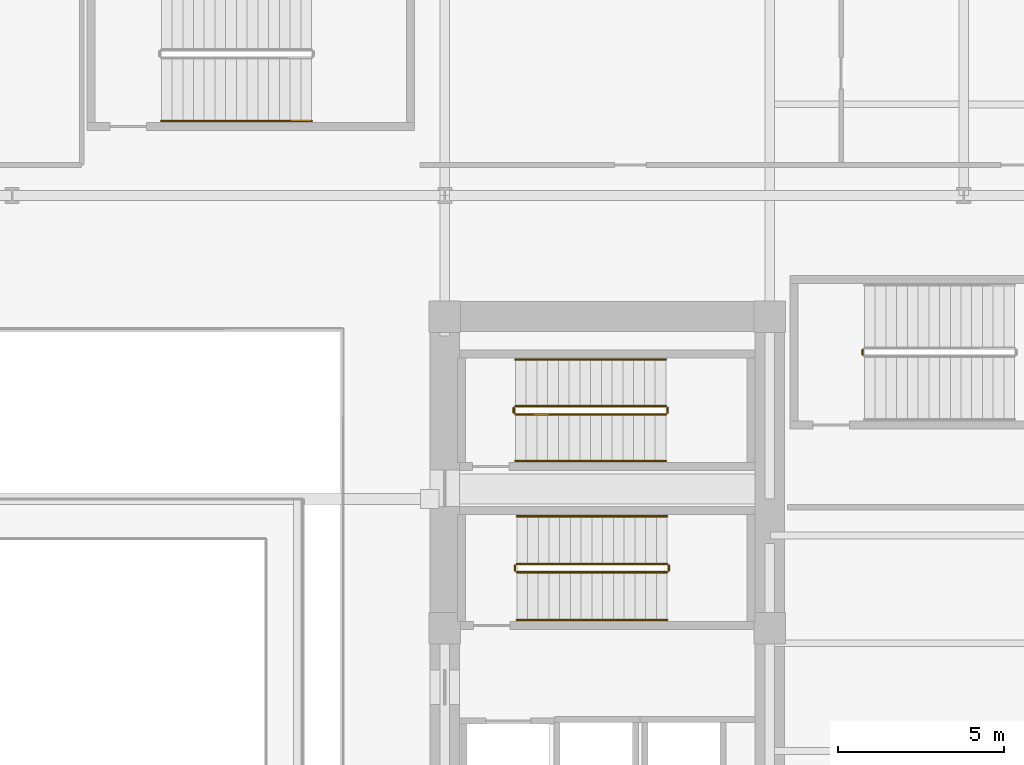
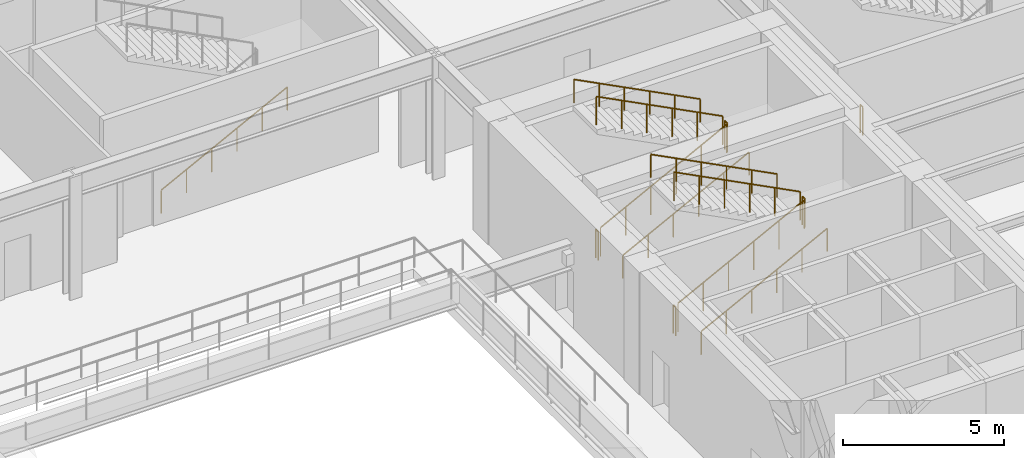
# One storey, part 21 of 24: 14 railings.
"""IFC4 building model written with IfcOpenShell, lengths in metres."""

from ifc_helpers import new_model, si_unit, direction, frame, origin, origin_2d, place, context, subcontext, project, spatial, circle, extrude, material, type_object, element, save


model = new_model("IFC4")

# Units and contexts
model_context = context("Model", 3, precision=1e-05, world=origin(), true_north=direction((0.0, 1.0)))
body_context = subcontext(model_context, "Body", "Model", "MODEL_VIEW")
ifc_project = project(units=[si_unit("LENGTHUNIT", "METRE"), si_unit("AREAUNIT", "SQUARE_METRE"), si_unit("VOLUMEUNIT", "CUBIC_METRE"), si_unit("PLANEANGLEUNIT", "RADIAN"), si_unit("MASSUNIT", "GRAM", prefix="KILO")], contexts=[model_context])

# Site, building, storey
site_placement = place(None, origin())
site = spatial("IfcSite", under=ifc_project, at=site_placement, CompositionType="ELEMENT")
building_placement = place(site_placement, origin())
building = spatial("IfcBuilding", under=site, at=building_placement, Name="Kolvaren Arena Tower", CompositionType="ELEMENT")
storey_placement = place(building_placement, frame((0.0, 0.0, 23.0)))
storey = spatial("IfcBuildingStorey", under=building, at=storey_placement, Name="L04", CompositionType="ELEMENT", Elevation=23.0)

# Railings
ifc_material_1 = material(Name="Painted galvanized steel", Category="steel")
railing_type_1 = type_object("IfcRailingType", Name="GUARD-ST-110", PredefinedType="GUARDRAIL", material=ifc_material_1)
railing_1_placement = place(storey_placement, frame((52.719970703125, 31.639892578125, 0.166748046875)))
element("IfcRailing", 1, at=railing_1_placement, inside=storey, type_object=railing_type_1, Name="L04 ST-E1 stair guard 1", PredefinedType="GUARDRAIL", context=body_context, shape_type="SweptSolid", body=[
    extrude(circle(Radius=0.02392578125, at=origin_2d()), frame((0.0, 0.0, 1.076171875), z_axis=(0.889257211316, 0.0, 0.457407490234), x_axis=(0.0, 1.0, 0.0)), (0.0, 0.0, 1.0), 5.10107421875),
    extrude(circle(Radius=0.02099609375, at=origin_2d()), origin(), (0.0, 0.0, 1.0), 1.052001953125),
    extrude(circle(Radius=0.02099609375, at=origin_2d()), frame((0.9072265625, 0.0, 0.466552734375)), (0.0, 0.0, 1.0), 1.052001953125),
    extrude(circle(Radius=0.02099609375, at=origin_2d()), frame((1.814453125, 0.0, 0.933349609375)), (0.0, 0.0, 1.0), 1.052001953125),
    extrude(circle(Radius=0.02099609375, at=origin_2d()), frame((2.7216796875, 0.0, 1.39990234375)), (0.0, 0.0, 1.0), 1.052001953125),
    extrude(circle(Radius=0.02099609375, at=origin_2d()), frame((3.62890625, 0.0, 1.86669921875)), (0.0, 0.0, 1.0), 1.052001953125),
    extrude(circle(Radius=0.02099609375, at=origin_2d()), frame((4.5361328125, 0.0, 2.333251953125)), (0.0, 0.0, 1.0), 1.052001953125),
])
railing_2_placement = place(storey_placement, frame((57.305908203125, 31.68994140625, 2.5)))
element("IfcRailing", 2, at=railing_2_placement, inside=storey, type_object=railing_type_1, Name="L04 ST-E1 stair guard 2", PredefinedType="GUARDRAIL", context=body_context, shape_type="SweptSolid", body=[
    extrude(circle(Radius=0.02392578125, at=origin_2d()), frame((0.0, 0.0, 1.076171875), z_axis=(0.0, 1.0, 0.0), x_axis=(-1.0, 0.0, 0.0)), (0.0, 0.0, 1.0), 0.150146484375),
    extrude(circle(Radius=0.02099609375, at=origin_2d()), origin(), (0.0, 0.0, 1.0), 1.052001953125),
    extrude(circle(Radius=0.02099609375, at=origin_2d()), frame((0.0, 0.150146484375, 0.0)), (0.0, 0.0, 1.0), 1.052001953125),
])
railing_3_placement = place(storey_placement, frame((57.256103515625, 31.889892578125, 2.666748046875)))
element("IfcRailing", 3, at=railing_3_placement, inside=storey, type_object=railing_type_1, Name="L04 ST-E1 stair guard 3", PredefinedType="GUARDRAIL", context=body_context, shape_type="SweptSolid", body=[
    extrude(circle(Radius=0.02392578125, at=origin_2d()), frame((0.0, 0.0, 1.076171875), z_axis=(-0.889257211316, 0.0, 0.457407490234), x_axis=(0.0, -1.0, 0.0)), (0.0, 0.0, 1.0), 5.10107421875),
    extrude(circle(Radius=0.02099609375, at=origin_2d()), origin(), (0.0, 0.0, 1.0), 1.052001953125),
    extrude(circle(Radius=0.02099609375, at=origin_2d()), frame((-0.9072265625, 0.0, 0.466552734375)), (0.0, 0.0, 1.0), 1.052001953125),
    extrude(circle(Radius=0.02099609375, at=origin_2d()), frame((-1.814453125, 0.0, 0.933349609375)), (0.0, 0.0, 1.0), 1.052001953125),
    extrude(circle(Radius=0.02099609375, at=origin_2d()), frame((-2.7216796875, 0.0, 1.39990234375)), (0.0, 0.0, 1.0), 1.052001953125),
    extrude(circle(Radius=0.02099609375, at=origin_2d()), frame((-3.62890625, 0.0, 1.86669921875)), (0.0, 0.0, 1.0), 1.052001953125),
    extrude(circle(Radius=0.02099609375, at=origin_2d()), frame((-4.5361328125, 0.0, 2.333251953125)), (0.0, 0.0, 1.0), 1.052001953125),
])
railing_4_placement = place(storey_placement, frame((52.669921875, 31.68994140625, 0.0)))
element("IfcRailing", 4, at=railing_4_placement, inside=storey, type_object=railing_type_1, Name="L04 ST-E1 stair guard 4", PredefinedType="GUARDRAIL", context=body_context, shape_type="SweptSolid", body=[
    extrude(circle(Radius=0.02392578125, at=origin_2d()), frame((0.0, 0.0, 1.076171875), z_axis=(0.0, 1.0, 0.0), x_axis=(-1.0, 0.0, 0.0)), (0.0, 0.0, 1.0), 0.150146484375),
    extrude(circle(Radius=0.02099609375, at=origin_2d()), origin(), (0.0, 0.0, 1.0), 1.052001953125),
    extrude(circle(Radius=0.02099609375, at=origin_2d()), frame((0.0, 0.150146484375, 0.0)), (0.0, 0.0, 1.0), 1.052001953125),
])
railing_5_placement = place(storey_placement, frame((52.679931640625, 36.39990234375, 0.166748046875)))
element("IfcRailing", 5, at=railing_5_placement, inside=storey, type_object=railing_type_1, Name="L04 ST-E2 stair guard 1", PredefinedType="GUARDRAIL", context=body_context, shape_type="SweptSolid", body=[
    extrude(circle(Radius=0.02392578125, at=origin_2d()), frame((0.0, 0.0, 1.076171875), z_axis=(0.889257211316, 0.0, 0.457407490234), x_axis=(0.0, 1.0, 0.0)), (0.0, 0.0, 1.0), 5.10107421875),
    extrude(circle(Radius=0.02099609375, at=origin_2d()), origin(), (0.0, 0.0, 1.0), 1.052001953125),
    extrude(circle(Radius=0.02099609375, at=origin_2d()), frame((0.9072265625, 0.0, 0.466552734375)), (0.0, 0.0, 1.0), 1.052001953125),
    extrude(circle(Radius=0.02099609375, at=origin_2d()), frame((1.814453125, 0.0, 0.933349609375)), (0.0, 0.0, 1.0), 1.052001953125),
    extrude(circle(Radius=0.02099609375, at=origin_2d()), frame((2.7216796875, 0.0, 1.39990234375)), (0.0, 0.0, 1.0), 1.052001953125),
    extrude(circle(Radius=0.02099609375, at=origin_2d()), frame((3.62890625, 0.0, 1.86669921875)), (0.0, 0.0, 1.0), 1.052001953125),
    extrude(circle(Radius=0.02099609375, at=origin_2d()), frame((4.5361328125, 0.0, 2.333251953125)), (0.0, 0.0, 1.0), 1.052001953125),
])
railing_6_placement = place(storey_placement, frame((57.26611328125, 36.449951171875, 2.5)))
element("IfcRailing", 6, at=railing_6_placement, inside=storey, type_object=railing_type_1, Name="L04 ST-E2 stair guard 2", PredefinedType="GUARDRAIL", context=body_context, shape_type="SweptSolid", body=[
    extrude(circle(Radius=0.02392578125, at=origin_2d()), frame((0.0, 0.0, 1.076171875), z_axis=(0.0, 1.0, 0.0), x_axis=(-1.0, 0.0, 0.0)), (0.0, 0.0, 1.0), 0.150146484375),
    extrude(circle(Radius=0.02099609375, at=origin_2d()), origin(), (0.0, 0.0, 1.0), 1.052001953125),
    extrude(circle(Radius=0.02099609375, at=origin_2d()), frame((0.0, 0.150146484375, 0.0)), (0.0, 0.0, 1.0), 1.052001953125),
])
railing_7_placement = place(storey_placement, frame((57.216064453125, 36.64990234375, 2.666748046875)))
element("IfcRailing", 7, at=railing_7_placement, inside=storey, type_object=railing_type_1, Name="L04 ST-E2 stair guard 3", PredefinedType="GUARDRAIL", context=body_context, shape_type="SweptSolid", body=[
    extrude(circle(Radius=0.02392578125, at=origin_2d()), frame((0.0, 0.0, 1.076171875), z_axis=(-0.889257211316, 0.0, 0.457407490234), x_axis=(0.0, -1.0, 0.0)), (0.0, 0.0, 1.0), 5.10107421875),
    extrude(circle(Radius=0.02099609375, at=origin_2d()), origin(), (0.0, 0.0, 1.0), 1.052001953125),
    extrude(circle(Radius=0.02099609375, at=origin_2d()), frame((-0.9072265625, 0.0, 0.466552734375)), (0.0, 0.0, 1.0), 1.052001953125),
    extrude(circle(Radius=0.02099609375, at=origin_2d()), frame((-1.814453125, 0.0, 0.933349609375)), (0.0, 0.0, 1.0), 1.052001953125),
    extrude(circle(Radius=0.02099609375, at=origin_2d()), frame((-2.7216796875, 0.0, 1.39990234375)), (0.0, 0.0, 1.0), 1.052001953125),
    extrude(circle(Radius=0.02099609375, at=origin_2d()), frame((-3.62890625, 0.0, 1.86669921875)), (0.0, 0.0, 1.0), 1.052001953125),
    extrude(circle(Radius=0.02099609375, at=origin_2d()), frame((-4.5361328125, 0.0, 2.333251953125)), (0.0, 0.0, 1.0), 1.052001953125),
])
for number, where, name in (
    (8, (52.6298828125, 36.449951171875, 0.0), "L04 ST-E2 stair guard 4"),
    (9, (63.14990234375, 38.199951171875, 0.0), "L04 ST-A8 stair guard 4"),
):
    element("IfcRailing", number, at=place(storey_placement, frame(where)), inside=storey, type_object=railing_type_1, Name=name, PredefinedType="GUARDRAIL", context=body_context, shape_type="SweptSolid", body=[
        extrude(circle(Radius=0.02392578125, at=origin_2d()), frame((0.0, 0.0, 1.076171875), z_axis=(0.0, 1.0, 0.0), x_axis=(-1.0, 0.0, 0.0)), (0.0, 0.0, 1.0), 0.150146484375),
        extrude(circle(Radius=0.02099609375, at=origin_2d()), origin(), (0.0, 0.0, 1.0), 1.052001953125),
        extrude(circle(Radius=0.02099609375, at=origin_2d()), frame((0.0, 0.150146484375, 0.0)), (0.0, 0.0, 1.0), 1.052001953125),
    ])
ifc_material_2 = material(Name="Brushed stainless steel handrail", Category="steel")
railing_type_2 = type_object("IfcRailingType", Name="HRAIL-900", PredefinedType="HANDRAIL", material=ifc_material_2)
railing_8_placement = place(storey_placement, frame((52.719970703125, 30.199951171875, 0.166748046875)))
element("IfcRailing", 10, at=railing_8_placement, inside=storey, type_object=railing_type_2, Name="L04 ST-E1 stair handrail 1", PredefinedType="HANDRAIL", context=body_context, shape_type="SweptSolid", body=[
    extrude(circle(Radius=0.02392578125, at=origin_2d()), frame((0.0, 0.0, 0.8759765625), z_axis=(0.889257211316, 0.0, 0.457407490234), x_axis=(0.0, 1.0, 0.0)), (0.0, 0.0, 1.0), 5.10107421875),
    extrude(circle(Radius=0.02099609375, at=origin_2d()), origin(), (0.0, 0.0, 1.0), 0.851806640625),
    extrude(circle(Radius=0.02099609375, at=origin_2d()), frame((0.9072265625, 0.0, 0.466552734375)), (0.0, 0.0, 1.0), 0.851806640625),
    extrude(circle(Radius=0.02099609375, at=origin_2d()), frame((1.814453125, 0.0, 0.933349609375)), (0.0, 0.0, 1.0), 0.851806640625),
    extrude(circle(Radius=0.02099609375, at=origin_2d()), frame((2.7216796875, 0.0, 1.39990234375)), (0.0, 0.0, 1.0), 0.851806640625),
    extrude(circle(Radius=0.02099609375, at=origin_2d()), frame((3.62890625, 0.0, 1.86669921875)), (0.0, 0.0, 1.0), 0.851806640625),
    extrude(circle(Radius=0.02099609375, at=origin_2d()), frame((4.5361328125, 0.0, 2.333251953125)), (0.0, 0.0, 1.0), 0.851806640625),
])
railing_9_placement = place(storey_placement, frame((57.256103515625, 33.330078125, 2.666748046875)))
element("IfcRailing", 11, at=railing_9_placement, inside=storey, type_object=railing_type_2, Name="L04 ST-E1 stair handrail 2", PredefinedType="HANDRAIL", context=body_context, shape_type="SweptSolid", body=[
    extrude(circle(Radius=0.02392578125, at=origin_2d()), frame((0.0, 0.0, 0.8759765625), z_axis=(-0.889257211316, 0.0, 0.457407490234), x_axis=(0.0, -1.0, 0.0)), (0.0, 0.0, 1.0), 5.10107421875),
    extrude(circle(Radius=0.02099609375, at=origin_2d()), origin(), (0.0, 0.0, 1.0), 0.851806640625),
    extrude(circle(Radius=0.02099609375, at=origin_2d()), frame((-0.9072265625, 0.0, 0.466552734375)), (0.0, 0.0, 1.0), 0.851806640625),
    extrude(circle(Radius=0.02099609375, at=origin_2d()), frame((-1.814453125, 0.0, 0.933349609375)), (0.0, 0.0, 1.0), 0.851806640625),
    extrude(circle(Radius=0.02099609375, at=origin_2d()), frame((-2.7216796875, 0.0, 1.39990234375)), (0.0, 0.0, 1.0), 0.851806640625),
    extrude(circle(Radius=0.02099609375, at=origin_2d()), frame((-3.62890625, 0.0, 1.86669921875)), (0.0, 0.0, 1.0), 0.851806640625),
    extrude(circle(Radius=0.02099609375, at=origin_2d()), frame((-4.5361328125, 0.0, 2.333251953125)), (0.0, 0.0, 1.0), 0.851806640625),
])
railing_10_placement = place(storey_placement, frame((52.679931640625, 35.0, 0.166748046875)))
element("IfcRailing", 12, at=railing_10_placement, inside=storey, type_object=railing_type_2, Name="L04 ST-E2 stair handrail 1", PredefinedType="HANDRAIL", context=body_context, shape_type="SweptSolid", body=[
    extrude(circle(Radius=0.02392578125, at=origin_2d()), frame((0.0, 0.0, 0.8759765625), z_axis=(0.889257211316, 0.0, 0.457407490234), x_axis=(0.0, 1.0, 0.0)), (0.0, 0.0, 1.0), 5.10107421875),
    extrude(circle(Radius=0.02099609375, at=origin_2d()), origin(), (0.0, 0.0, 1.0), 0.851806640625),
    extrude(circle(Radius=0.02099609375, at=origin_2d()), frame((0.9072265625, 0.0, 0.466552734375)), (0.0, 0.0, 1.0), 0.851806640625),
    extrude(circle(Radius=0.02099609375, at=origin_2d()), frame((1.814453125, 0.0, 0.933349609375)), (0.0, 0.0, 1.0), 0.851806640625),
    extrude(circle(Radius=0.02099609375, at=origin_2d()), frame((2.7216796875, 0.0, 1.39990234375)), (0.0, 0.0, 1.0), 0.851806640625),
    extrude(circle(Radius=0.02099609375, at=origin_2d()), frame((3.62890625, 0.0, 1.86669921875)), (0.0, 0.0, 1.0), 0.851806640625),
    extrude(circle(Radius=0.02099609375, at=origin_2d()), frame((4.5361328125, 0.0, 2.333251953125)), (0.0, 0.0, 1.0), 0.851806640625),
])
railing_11_placement = place(storey_placement, frame((57.216064453125, 38.050048828125, 2.666748046875)))
element("IfcRailing", 13, at=railing_11_placement, inside=storey, type_object=railing_type_2, Name="L04 ST-E2 stair handrail 2", PredefinedType="HANDRAIL", context=body_context, shape_type="SweptSolid", body=[
    extrude(circle(Radius=0.02392578125, at=origin_2d()), frame((0.0, 0.0, 0.8759765625), z_axis=(-0.889257211316, 0.0, 0.457407490234), x_axis=(0.0, -1.0, 0.0)), (0.0, 0.0, 1.0), 5.10107421875),
    extrude(circle(Radius=0.02099609375, at=origin_2d()), origin(), (0.0, 0.0, 1.0), 0.851806640625),
    extrude(circle(Radius=0.02099609375, at=origin_2d()), frame((-0.9072265625, 0.0, 0.466552734375)), (0.0, 0.0, 1.0), 0.851806640625),
    extrude(circle(Radius=0.02099609375, at=origin_2d()), frame((-1.814453125, 0.0, 0.933349609375)), (0.0, 0.0, 1.0), 0.851806640625),
    extrude(circle(Radius=0.02099609375, at=origin_2d()), frame((-2.7216796875, 0.0, 1.39990234375)), (0.0, 0.0, 1.0), 0.851806640625),
    extrude(circle(Radius=0.02099609375, at=origin_2d()), frame((-3.62890625, 0.0, 1.86669921875)), (0.0, 0.0, 1.0), 0.851806640625),
    extrude(circle(Radius=0.02099609375, at=origin_2d()), frame((-4.5361328125, 0.0, 2.333251953125)), (0.0, 0.0, 1.0), 0.851806640625),
])
railing_12_placement = place(storey_placement, frame((42.0, 45.25, 0.166748046875)))
element("IfcRailing", 14, at=railing_12_placement, inside=storey, type_object=railing_type_2, Name="L04 ST-A7 stair handrail 1", PredefinedType="HANDRAIL", context=body_context, shape_type="SweptSolid", body=[
    extrude(circle(Radius=0.02392578125, at=origin_2d()), frame((0.0, 0.0, 0.8759765625), z_axis=(0.889247197123, 0.0, 0.45742695855), x_axis=(0.0, 1.0, 0.0)), (0.0, 0.0, 1.0), 5.100830078125),
    extrude(circle(Radius=0.02099609375, at=origin_2d()), origin(), (0.0, 0.0, 1.0), 0.851806640625),
    extrude(circle(Radius=0.02099609375, at=origin_2d()), frame((0.9072265625, 0.0, 0.466552734375)), (0.0, 0.0, 1.0), 0.851806640625),
    extrude(circle(Radius=0.02099609375, at=origin_2d()), frame((1.814453125, 0.0, 0.933349609375)), (0.0, 0.0, 1.0), 0.851806640625),
    extrude(circle(Radius=0.02099609375, at=origin_2d()), frame((2.721435546875, 0.0, 1.39990234375)), (0.0, 0.0, 1.0), 0.851806640625),
    extrude(circle(Radius=0.02099609375, at=origin_2d()), frame((3.628662109375, 0.0, 1.86669921875)), (0.0, 0.0, 1.0), 0.851806640625),
    extrude(circle(Radius=0.02099609375, at=origin_2d()), frame((4.535888671875, 0.0, 2.333251953125)), (0.0, 0.0, 1.0), 0.851806640625),
])

save(model, "model.ifc")
